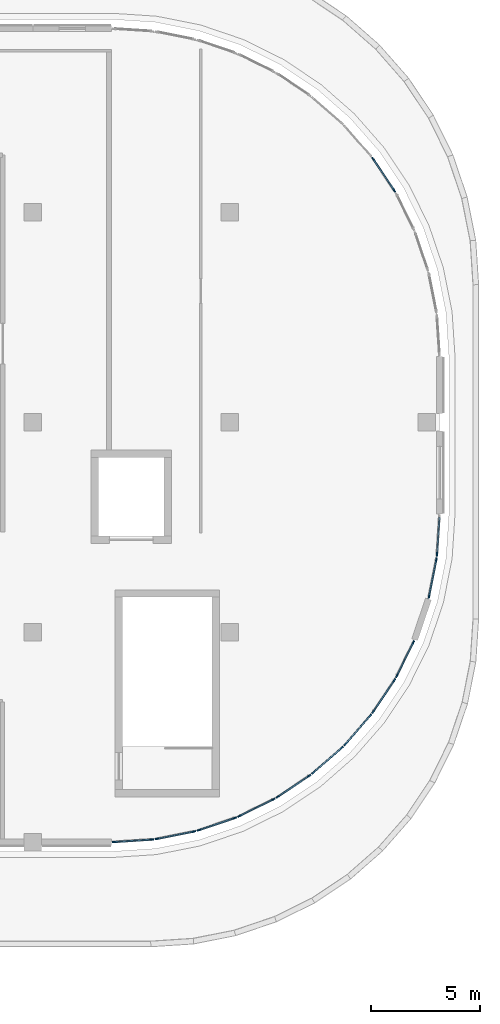
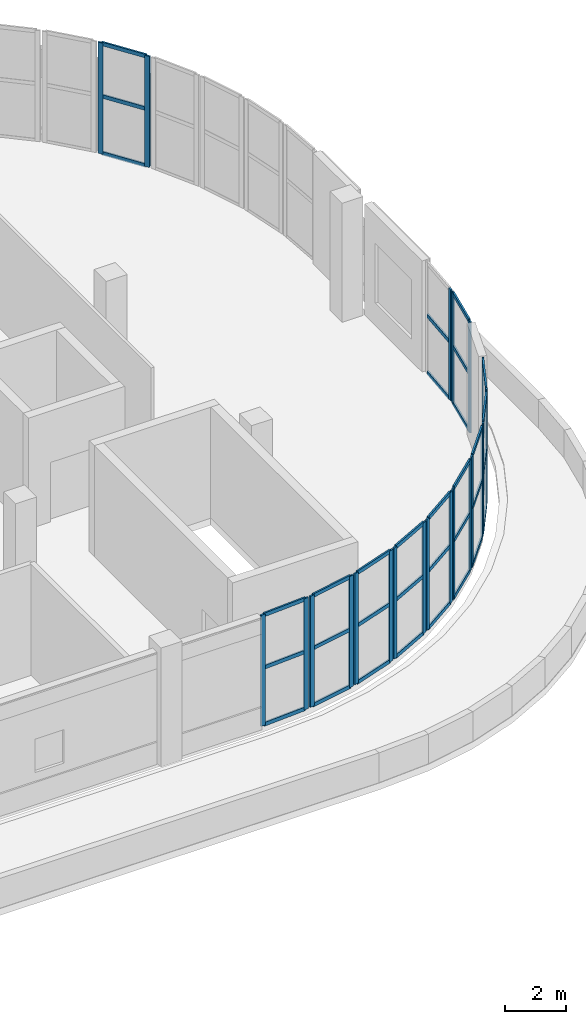
# One storey, part 14 of 33: 58 members, 12 elements without a shape of their own.
"""IFC4 building model written with IfcOpenShell, lengths in metres."""

from ifc_helpers import new_model, si_unit, direction, frame, origin, origin_2d, place, context, subcontext, project, spatial, rectangle, extrude, material, layer, layer_set, material_profile, profile_set, type_object, element, aggregate, save


model = new_model("IFC4")

# Units and contexts
model_context = context("Model", 3, precision=1e-05, world=origin(), true_north=direction((0.0, 1.0)))
body_context = subcontext(model_context, "Body", "Model", "MODEL_VIEW")
ifc_project = project(units=[si_unit("LENGTHUNIT", "METRE"), si_unit("AREAUNIT", "SQUARE_METRE"), si_unit("VOLUMEUNIT", "CUBIC_METRE"), si_unit("PLANEANGLEUNIT", "RADIAN"), si_unit("MASSUNIT", "GRAM", prefix="KILO")], contexts=[model_context])

# Site, building, storey
site_placement = place(None, origin())
site = spatial("IfcSite", under=ifc_project, at=site_placement, CompositionType="ELEMENT")
building_placement = place(site_placement, origin())
building = spatial("IfcBuilding", under=site, at=building_placement, Name="Cendralis Terraced Arcade", CompositionType="ELEMENT")
storey_placement = place(building_placement, frame((0.0, 0.0, 19.800048828125)))
storey = spatial("IfcBuildingStorey", under=building, at=storey_placement, Name="L04", CompositionType="ELEMENT", Elevation=19.800048828125)

# Curtain wall, members
ifc_material = material(Name="Anodised aluminium EN AW-6063 T6", Category="aluminium")
ifc_layer = layer(ifc_material, 0.179931640625, Name="CW-UNIT-A")
ifc_layer_set = layer_set([ifc_layer], Name="Anodised aluminium EN AW-6063 T6")
curtain_wall_type = type_object("IfcCurtainWallType", Name="CW-UNIT-A", PredefinedType="USERDEFINED", material=ifc_layer_set)
curtain_wall_1_placement = place(storey_placement, origin())
curtain_wall_1 = element("IfcCurtainWall", 1, at=curtain_wall_1_placement, inside=storey, type_object=curtain_wall_type, Name="Exterior Unitised Facade CW-L04-0321", ObjectType="UNITISED FACADE", PredefinedType="USERDEFINED")
ifc_material_profile_1 = material_profile(ifc_material, rectangle(XDim=0.06494140625, YDim=0.179931640625, at=origin_2d()), Name="ALU-MUL-65x180")
ifc_profile_set_1 = profile_set([ifc_material_profile_1], Name="Anodised aluminium EN AW-6063 T6")
member_type_1 = type_object("IfcMemberType", Name="CW-UNIT-A-MUL", PredefinedType="MULLION", material=ifc_profile_set_1)
member_1_placement = place(storey_placement, frame((163.768310546875, 100.82958984375, 0.0), z_axis=(0.0, 0.0, 1.0), x_axis=(0.831471454125, 0.555567476528, 0.0)))
member_1 = element("IfcMember", 2, at=member_1_placement, type_object=member_type_1, Name="CW-U1 mullion 1", PredefinedType="MULLION", context=body_context, shape_type="SweptSolid", body=[
    extrude(rectangle(XDim=0.06494140625, YDim=0.179931640625, at=origin_2d()), origin(), (0.0, 0.0, 1.0), 4.47998046875),
])
member_2_placement = place(storey_placement, frame((164.722412109375, 99.40185546875, 0.0), z_axis=(0.0, 0.0, 1.0), x_axis=(0.831471454125, 0.555567476528, 0.0)))
member_2 = element("IfcMember", 3, at=member_2_placement, type_object=member_type_1, Name="CW-U1 mullion 2", PredefinedType="MULLION", context=body_context, shape_type="SweptSolid", body=[
    extrude(rectangle(XDim=0.06494140625, YDim=0.179931640625, at=origin_2d()), origin(), (0.0, 0.0, 1.0), 4.47998046875),
])

# Curtain wall, member
curtain_wall_2_placement = place(storey_placement, origin())
curtain_wall_2 = element("IfcCurtainWall", 4, at=curtain_wall_2_placement, inside=storey, type_object=curtain_wall_type, Name="Exterior Unitised Facade CW-L04-0326", ObjectType="UNITISED FACADE", PredefinedType="USERDEFINED")
member_3_placement = place(storey_placement, frame((166.6796875, 82.764404296875, 0.0), z_axis=(0.0, 0.0, 1.0), x_axis=(0.997860971336, -0.065371873798, 0.0)))
member_3 = element("IfcMember", 5, at=member_3_placement, type_object=member_type_1, Name="CW-U1 mullion 2", PredefinedType="MULLION", context=body_context, shape_type="SweptSolid", body=[
    extrude(rectangle(XDim=0.06494140625, YDim=0.179931640625, at=origin_2d()), origin(), (0.0, 0.0, 1.0), 4.47998046875),
])

# Curtain wall, members
curtain_wall_3_placement = place(storey_placement, origin())
curtain_wall_3 = element("IfcCurtainWall", 6, at=curtain_wall_3_placement, inside=storey, type_object=curtain_wall_type, Name="Exterior Unitised Facade CW-L04-0327", ObjectType="UNITISED FACADE", PredefinedType="USERDEFINED")
member_4_placement = place(storey_placement, frame((166.647705078125, 82.52197265625, 0.0), z_axis=(0.0, 0.0, 1.0), x_axis=(0.980791618721, -0.195058454434, 0.0)))
member_4 = element("IfcMember", 7, at=member_4_placement, type_object=member_type_1, Name="CW-U1 mullion 1", PredefinedType="MULLION", context=body_context, shape_type="SweptSolid", body=[
    extrude(rectangle(XDim=0.06494140625, YDim=0.179931640625, at=origin_2d()), origin(), (0.0, 0.0, 1.0), 4.47998046875),
])
member_5_placement = place(storey_placement, frame((166.312744140625, 80.837890625, 0.0), z_axis=(0.0, 0.0, 1.0), x_axis=(0.980791618721, -0.195058454434, 0.0)))
member_5 = element("IfcMember", 8, at=member_5_placement, type_object=member_type_1, Name="CW-U1 mullion 2", PredefinedType="MULLION", context=body_context, shape_type="SweptSolid", body=[
    extrude(rectangle(XDim=0.06494140625, YDim=0.179931640625, at=origin_2d()), origin(), (0.0, 0.0, 1.0), 4.47998046875),
])

curtain_wall_4_placement = place(storey_placement, origin())
curtain_wall_4 = element("IfcCurtainWall", 9, at=curtain_wall_4_placement, inside=storey, type_object=curtain_wall_type, Name="Exterior Unitised Facade CW-L04-0328", ObjectType="UNITISED FACADE", PredefinedType="USERDEFINED")
member_6_placement = place(storey_placement, frame((165.59326171875, 78.72802734375, 0.0), z_axis=(0.0, 0.0, 1.0), x_axis=(0.896860050603, -0.442314423947, 0.0)))
member_6 = element("IfcMember", 10, at=member_6_placement, type_object=member_type_1, Name="CW-U1 mullion 1", PredefinedType="MULLION", context=body_context, shape_type="SweptSolid", body=[
    extrude(rectangle(XDim=0.06494140625, YDim=0.179931640625, at=origin_2d()), origin(), (0.0, 0.0, 1.0), 4.47998046875),
])
member_7_placement = place(storey_placement, frame((164.844482421875, 77.2099609375, 0.0), z_axis=(0.0, 0.0, 1.0), x_axis=(0.896860050603, -0.442314423947, 0.0)))
member_7 = element("IfcMember", 11, at=member_7_placement, type_object=member_type_1, Name="CW-U1 mullion 2", PredefinedType="MULLION", context=body_context, shape_type="SweptSolid", body=[
    extrude(rectangle(XDim=0.06494140625, YDim=0.179931640625, at=origin_2d()), origin(), (0.0, 0.0, 1.0), 4.47998046875),
])

curtain_wall_5_placement = place(storey_placement, origin())
curtain_wall_5 = element("IfcCurtainWall", 12, at=curtain_wall_5_placement, inside=storey, type_object=curtain_wall_type, Name="Exterior Unitised Facade CW-L04-0329", ObjectType="UNITISED FACADE", PredefinedType="USERDEFINED")
member_8_placement = place(storey_placement, frame((164.722412109375, 76.998291015625, 0.0), z_axis=(0.0, 0.0, 1.0), x_axis=(0.831471454125, -0.555567476528, 0.0)))
member_8 = element("IfcMember", 13, at=member_8_placement, type_object=member_type_1, Name="CW-U1 mullion 1", PredefinedType="MULLION", context=body_context, shape_type="SweptSolid", body=[
    extrude(rectangle(XDim=0.06494140625, YDim=0.179931640625, at=origin_2d()), origin(), (0.0, 0.0, 1.0), 4.47998046875),
])
member_9_placement = place(storey_placement, frame((163.768310546875, 75.5703125, 0.0), z_axis=(0.0, 0.0, 1.0), x_axis=(0.831471454125, -0.555567476528, 0.0)))
member_9 = element("IfcMember", 14, at=member_9_placement, type_object=member_type_1, Name="CW-U1 mullion 2", PredefinedType="MULLION", context=body_context, shape_type="SweptSolid", body=[
    extrude(rectangle(XDim=0.06494140625, YDim=0.179931640625, at=origin_2d()), origin(), (0.0, 0.0, 1.0), 4.47998046875),
])

curtain_wall_6_placement = place(storey_placement, origin())
curtain_wall_6 = element("IfcCurtainWall", 15, at=curtain_wall_6_placement, inside=storey, type_object=curtain_wall_type, Name="Exterior Unitised Facade CW-L04-0330", ObjectType="UNITISED FACADE", PredefinedType="USERDEFINED")
member_10_placement = place(storey_placement, frame((163.61962890625, 75.37646484375, 0.0), z_axis=(0.0, 0.0, 1.0), x_axis=(0.751804497477, -0.659386076266, 0.0)))
member_10 = element("IfcMember", 16, at=member_10_placement, type_object=member_type_1, Name="CW-U1 mullion 1", PredefinedType="MULLION", context=body_context, shape_type="SweptSolid", body=[
    extrude(rectangle(XDim=0.06494140625, YDim=0.179931640625, at=origin_2d()), origin(), (0.0, 0.0, 1.0), 4.47998046875),
])
member_11_placement = place(storey_placement, frame((162.4873046875, 74.08544921875, 0.0), z_axis=(0.0, 0.0, 1.0), x_axis=(0.751804497477, -0.659386076266, 0.0)))
member_11 = element("IfcMember", 17, at=member_11_placement, type_object=member_type_1, Name="CW-U1 mullion 2", PredefinedType="MULLION", context=body_context, shape_type="SweptSolid", body=[
    extrude(rectangle(XDim=0.06494140625, YDim=0.179931640625, at=origin_2d()), origin(), (0.0, 0.0, 1.0), 4.47998046875),
])

curtain_wall_7_placement = place(storey_placement, origin())
curtain_wall_7 = element("IfcCurtainWall", 18, at=curtain_wall_7_placement, inside=storey, type_object=curtain_wall_type, Name="Exterior Unitised Facade CW-L04-0331", ObjectType="UNITISED FACADE", PredefinedType="USERDEFINED")
member_12_placement = place(storey_placement, frame((162.314453125, 73.91259765625, 0.0), z_axis=(0.0, 0.0, 1.0), x_axis=(0.659386076266, -0.751804497477, 0.0)))
member_12 = element("IfcMember", 19, at=member_12_placement, type_object=member_type_1, Name="CW-U1 mullion 1", PredefinedType="MULLION", context=body_context, shape_type="SweptSolid", body=[
    extrude(rectangle(XDim=0.06494140625, YDim=0.179931640625, at=origin_2d()), origin(), (0.0, 0.0, 1.0), 4.47998046875),
])
member_13_placement = place(storey_placement, frame((161.0234375, 72.780517578125, 0.0), z_axis=(0.0, 0.0, 1.0), x_axis=(0.659386076266, -0.751804497477, 0.0)))
member_13 = element("IfcMember", 20, at=member_13_placement, type_object=member_type_1, Name="CW-U1 mullion 2", PredefinedType="MULLION", context=body_context, shape_type="SweptSolid", body=[
    extrude(rectangle(XDim=0.06494140625, YDim=0.179931640625, at=origin_2d()), origin(), (0.0, 0.0, 1.0), 4.47998046875),
])

curtain_wall_8_placement = place(storey_placement, origin())
curtain_wall_8 = element("IfcCurtainWall", 21, at=curtain_wall_8_placement, inside=storey, type_object=curtain_wall_type, Name="Exterior Unitised Facade CW-L04-0332", ObjectType="UNITISED FACADE", PredefinedType="USERDEFINED")
member_14_placement = place(storey_placement, frame((160.82958984375, 72.631591796875, 0.0), z_axis=(0.0, 0.0, 1.0), x_axis=(0.555567476528, -0.831471454125, 0.0)))
member_14 = element("IfcMember", 22, at=member_14_placement, type_object=member_type_1, Name="CW-U1 mullion 1", PredefinedType="MULLION", context=body_context, shape_type="SweptSolid", body=[
    extrude(rectangle(XDim=0.06494140625, YDim=0.179931640625, at=origin_2d()), origin(), (0.0, 0.0, 1.0), 4.47998046875),
])
member_15_placement = place(storey_placement, frame((159.40185546875, 71.677734375, 0.0), z_axis=(0.0, 0.0, 1.0), x_axis=(0.555567476528, -0.831471454125, 0.0)))
member_15 = element("IfcMember", 23, at=member_15_placement, type_object=member_type_1, Name="CW-U1 mullion 2", PredefinedType="MULLION", context=body_context, shape_type="SweptSolid", body=[
    extrude(rectangle(XDim=0.06494140625, YDim=0.179931640625, at=origin_2d()), origin(), (0.0, 0.0, 1.0), 4.47998046875),
])

curtain_wall_9_placement = place(storey_placement, origin())
curtain_wall_9 = element("IfcCurtainWall", 24, at=curtain_wall_9_placement, inside=storey, type_object=curtain_wall_type, Name="Exterior Unitised Facade CW-L04-0333", ObjectType="UNITISED FACADE", PredefinedType="USERDEFINED")
member_16_placement = place(storey_placement, frame((159.190185546875, 71.555419921875, 0.0), z_axis=(0.0, 0.0, 1.0), x_axis=(0.442291247495, -0.896871480419, 0.0)))
member_16 = element("IfcMember", 25, at=member_16_placement, type_object=member_type_1, Name="CW-U1 mullion 1", PredefinedType="MULLION", context=body_context, shape_type="SweptSolid", body=[
    extrude(rectangle(XDim=0.06494140625, YDim=0.179931640625, at=origin_2d()), origin(), (0.0, 0.0, 1.0), 4.47998046875),
])
member_17_placement = place(storey_placement, frame((157.650146484375, 70.7958984375, 0.0), z_axis=(0.0, 0.0, 1.0), x_axis=(0.442291247495, -0.896871480419, 0.0)))
member_17 = element("IfcMember", 26, at=member_17_placement, type_object=member_type_1, Name="CW-U1 mullion 2", PredefinedType="MULLION", context=body_context, shape_type="SweptSolid", body=[
    extrude(rectangle(XDim=0.06494140625, YDim=0.179931640625, at=origin_2d()), origin(), (0.0, 0.0, 1.0), 4.47998046875),
])

curtain_wall_10_placement = place(storey_placement, origin())
curtain_wall_10 = element("IfcCurtainWall", 27, at=curtain_wall_10_placement, inside=storey, type_object=curtain_wall_type, Name="Exterior Unitised Facade CW-L04-0334", ObjectType="UNITISED FACADE", PredefinedType="USERDEFINED")
member_18_placement = place(storey_placement, frame((157.42431640625, 70.702392578125, 0.0), z_axis=(0.0, 0.0, 1.0), x_axis=(0.321458077458, -0.946923811316, 0.0)))
member_18 = element("IfcMember", 28, at=member_18_placement, type_object=member_type_1, Name="CW-U1 mullion 1", PredefinedType="MULLION", context=body_context, shape_type="SweptSolid", body=[
    extrude(rectangle(XDim=0.06494140625, YDim=0.179931640625, at=origin_2d()), origin(), (0.0, 0.0, 1.0), 4.47998046875),
])
member_19_placement = place(storey_placement, frame((155.79833984375, 70.150390625, 0.0), z_axis=(0.0, 0.0, 1.0), x_axis=(0.321458077458, -0.946923811316, 0.0)))
member_19 = element("IfcMember", 29, at=member_19_placement, type_object=member_type_1, Name="CW-U1 mullion 2", PredefinedType="MULLION", context=body_context, shape_type="SweptSolid", body=[
    extrude(rectangle(XDim=0.06494140625, YDim=0.179931640625, at=origin_2d()), origin(), (0.0, 0.0, 1.0), 4.47998046875),
])

curtain_wall_11_placement = place(storey_placement, origin())
curtain_wall_11 = element("IfcCurtainWall", 30, at=curtain_wall_11_placement, inside=storey, type_object=curtain_wall_type, Name="Exterior Unitised Facade CW-L04-0335", ObjectType="UNITISED FACADE", PredefinedType="USERDEFINED")
member_20_placement = place(storey_placement, frame((155.56201171875, 70.087158203125, 0.0), z_axis=(0.0, 0.0, 1.0), x_axis=(0.195058454434, -0.980791618721, 0.0)))
member_20 = element("IfcMember", 31, at=member_20_placement, type_object=member_type_1, Name="CW-U1 mullion 1", PredefinedType="MULLION", context=body_context, shape_type="SweptSolid", body=[
    extrude(rectangle(XDim=0.06494140625, YDim=0.179931640625, at=origin_2d()), origin(), (0.0, 0.0, 1.0), 4.47998046875),
])
member_21_placement = place(storey_placement, frame((153.878173828125, 69.752197265625, 0.0), z_axis=(0.0, 0.0, 1.0), x_axis=(0.195058454434, -0.980791618721, 0.0)))
member_21 = element("IfcMember", 32, at=member_21_placement, type_object=member_type_1, Name="CW-U1 mullion 2", PredefinedType="MULLION", context=body_context, shape_type="SweptSolid", body=[
    extrude(rectangle(XDim=0.06494140625, YDim=0.179931640625, at=origin_2d()), origin(), (0.0, 0.0, 1.0), 4.47998046875),
])

curtain_wall_12_placement = place(storey_placement, origin())
curtain_wall_12 = element("IfcCurtainWall", 33, at=curtain_wall_12_placement, inside=storey, type_object=curtain_wall_type, Name="Exterior Unitised Facade CW-L04-0336", ObjectType="UNITISED FACADE", PredefinedType="USERDEFINED")
member_22_placement = place(storey_placement, frame((153.6357421875, 69.72021484375, 0.0), z_axis=(0.0, 0.0, 1.0), x_axis=(0.065371873798, -0.997860971336, 0.0)))
member_22 = element("IfcMember", 34, at=member_22_placement, type_object=member_type_1, Name="CW-U1 mullion 1", PredefinedType="MULLION", context=body_context, shape_type="SweptSolid", body=[
    extrude(rectangle(XDim=0.06494140625, YDim=0.179931640625, at=origin_2d()), origin(), (0.0, 0.0, 1.0), 4.47998046875),
])
member_23_placement = place(storey_placement, frame((151.922119140625, 69.60791015625, 0.0), z_axis=(0.0, 0.0, 1.0), x_axis=(0.065371873798, -0.997860971336, 0.0)))
member_23 = element("IfcMember", 35, at=member_23_placement, type_object=member_type_1, Name="CW-U1 mullion 2", PredefinedType="MULLION", context=body_context, shape_type="SweptSolid", body=[
    extrude(rectangle(XDim=0.06494140625, YDim=0.179931640625, at=origin_2d()), origin(), (0.0, 0.0, 1.0), 4.47998046875),
])

# Member
ifc_material_profile_2 = material_profile(ifc_material, rectangle(XDim=0.06494140625, YDim=0.14990234375, at=origin_2d()), Name="ALU-TRN-65x150")
ifc_profile_set_2 = profile_set([ifc_material_profile_2], Name="Anodised aluminium EN AW-6063 T6")
member_type_2 = type_object("IfcMemberType", Name="CW-UNIT-A-TRN", PredefinedType="USERDEFINED", material=ifc_profile_set_2)
member_24_placement = place(storey_placement, frame((163.786376953125, 100.802490234375, 0.032470703125), z_axis=(0.555654720391, -0.831413153436, 0.0), x_axis=(0.831413153436, 0.555654720391, 0.0)))
member_24 = element("IfcMember", 36, at=member_24_placement, type_object=member_type_2, Name="CW-U1 transom 1.1", ObjectType="TRANSOM", PredefinedType="USERDEFINED", context=body_context, shape_type="SweptSolid", body=[
    extrude(rectangle(XDim=0.06494140625, YDim=0.14990234375, at=origin_2d()), origin(), (0.0, 0.0, 1.0), 1.652099609375),
])

member_25_placement = place(storey_placement, frame((163.786376953125, 100.802490234375, 2.32958984375), z_axis=(0.555654720391, -0.831413153436, 0.0), x_axis=(0.831413153436, 0.555654720391, 0.0)))
member_25 = element("IfcMember", 37, at=member_25_placement, type_object=member_type_2, Name="CW-U1 transom 1.2", ObjectType="TRANSOM", PredefinedType="USERDEFINED", context=body_context, shape_type="SweptSolid", body=[
    extrude(rectangle(XDim=0.06494140625, YDim=0.14990234375, at=origin_2d()), origin(), (0.0, 0.0, 1.0), 1.652099609375),
])

member_26_placement = place(storey_placement, frame((163.786376953125, 100.802490234375, 4.447509765625), z_axis=(0.555654720391, -0.831413153436, 0.0), x_axis=(0.831413153436, 0.555654720391, 0.0)))
member_26 = element("IfcMember", 38, at=member_26_placement, type_object=member_type_2, Name="CW-U1 transom 1.3", ObjectType="TRANSOM", PredefinedType="USERDEFINED", context=body_context, shape_type="SweptSolid", body=[
    extrude(rectangle(XDim=0.06494140625, YDim=0.14990234375, at=origin_2d()), origin(), (0.0, 0.0, 1.0), 1.652099609375),
])

aggregate(curtain_wall_1, [member_1, member_2, member_24, member_25, member_26])

member_27_placement = place(storey_placement, frame((166.789794921875, 84.4453125, 0.032470703125), z_axis=(-0.065322272667, -0.997864219568, 0.0), x_axis=(0.997864219568, -0.065322272667, 0.0)))
member_27 = element("IfcMember", 39, at=member_27_placement, type_object=member_type_2, Name="CW-U1 transom 1.1", ObjectType="TRANSOM", PredefinedType="USERDEFINED", context=body_context, shape_type="SweptSolid", body=[
    extrude(rectangle(XDim=0.06494140625, YDim=0.14990234375, at=origin_2d()), origin(), (0.0, 0.0, 1.0), 1.65185546875),
])

member_28_placement = place(storey_placement, frame((166.789794921875, 84.4453125, 2.32958984375), z_axis=(-0.065322272667, -0.997864219568, 0.0), x_axis=(0.997864219568, -0.065322272667, 0.0)))
member_28 = element("IfcMember", 40, at=member_28_placement, type_object=member_type_2, Name="CW-U1 transom 1.2", ObjectType="TRANSOM", PredefinedType="USERDEFINED", context=body_context, shape_type="SweptSolid", body=[
    extrude(rectangle(XDim=0.06494140625, YDim=0.14990234375, at=origin_2d()), origin(), (0.0, 0.0, 1.0), 1.65185546875),
])

aggregate(curtain_wall_2, [member_3, member_27, member_28])

member_29_placement = place(storey_placement, frame((166.641357421875, 82.489990234375, 0.032470703125), z_axis=(-0.195092814307, -0.980784784652, 0.0), x_axis=(0.980784784652, -0.195092814307, 0.0)))
member_29 = element("IfcMember", 41, at=member_29_placement, type_object=member_type_2, Name="CW-U1 transom 1.1", ObjectType="TRANSOM", PredefinedType="USERDEFINED", context=body_context, shape_type="SweptSolid", body=[
    extrude(rectangle(XDim=0.06494140625, YDim=0.14990234375, at=origin_2d()), origin(), (0.0, 0.0, 1.0), 1.65185546875),
])

member_30_placement = place(storey_placement, frame((166.641357421875, 82.489990234375, 2.32958984375), z_axis=(-0.195092814307, -0.980784784652, 0.0), x_axis=(0.980784784652, -0.195092814307, 0.0)))
member_30 = element("IfcMember", 42, at=member_30_placement, type_object=member_type_2, Name="CW-U1 transom 1.2", ObjectType="TRANSOM", PredefinedType="USERDEFINED", context=body_context, shape_type="SweptSolid", body=[
    extrude(rectangle(XDim=0.06494140625, YDim=0.14990234375, at=origin_2d()), origin(), (0.0, 0.0, 1.0), 1.65185546875),
])

member_31_placement = place(storey_placement, frame((166.641357421875, 82.489990234375, 4.447509765625), z_axis=(-0.195092814307, -0.980784784652, 0.0), x_axis=(0.980784784652, -0.195092814307, 0.0)))
member_31 = element("IfcMember", 43, at=member_31_placement, type_object=member_type_2, Name="CW-U1 transom 1.3", ObjectType="TRANSOM", PredefinedType="USERDEFINED", context=body_context, shape_type="SweptSolid", body=[
    extrude(rectangle(XDim=0.06494140625, YDim=0.14990234375, at=origin_2d()), origin(), (0.0, 0.0, 1.0), 1.65185546875),
])

aggregate(curtain_wall_3, [member_4, member_5, member_29, member_30, member_31])

member_32_placement = place(storey_placement, frame((165.578857421875, 78.698974609375, 0.032470703125), z_axis=(-0.442287526323, -0.896873315502, 0.0), x_axis=(0.896873315502, -0.442287526323, 0.0)))
member_32 = element("IfcMember", 44, at=member_32_placement, type_object=member_type_2, Name="CW-U1 transom 1.1", ObjectType="TRANSOM", PredefinedType="USERDEFINED", context=body_context, shape_type="SweptSolid", body=[
    extrude(rectangle(XDim=0.06494140625, YDim=0.14990234375, at=origin_2d()), origin(), (0.0, 0.0, 1.0), 1.6279296875),
])

member_33_placement = place(storey_placement, frame((165.578857421875, 78.698974609375, 2.32958984375), z_axis=(-0.442287526323, -0.896873315502, 0.0), x_axis=(0.896873315502, -0.442287526323, 0.0)))
member_33 = element("IfcMember", 45, at=member_33_placement, type_object=member_type_2, Name="CW-U1 transom 1.2", ObjectType="TRANSOM", PredefinedType="USERDEFINED", context=body_context, shape_type="SweptSolid", body=[
    extrude(rectangle(XDim=0.06494140625, YDim=0.14990234375, at=origin_2d()), origin(), (0.0, 0.0, 1.0), 1.6279296875),
])

member_34_placement = place(storey_placement, frame((165.578857421875, 78.698974609375, 4.447509765625), z_axis=(-0.442287526323, -0.896873315502, 0.0), x_axis=(0.896873315502, -0.442287526323, 0.0)))
member_34 = element("IfcMember", 46, at=member_34_placement, type_object=member_type_2, Name="CW-U1 transom 1.3", ObjectType="TRANSOM", PredefinedType="USERDEFINED", context=body_context, shape_type="SweptSolid", body=[
    extrude(rectangle(XDim=0.06494140625, YDim=0.14990234375, at=origin_2d()), origin(), (0.0, 0.0, 1.0), 1.6279296875),
])

aggregate(curtain_wall_4, [member_6, member_7, member_32, member_33, member_34])

member_35_placement = place(storey_placement, frame((164.704345703125, 76.97119140625, 0.032470703125), z_axis=(-0.555586455466, -0.831458772582, 0.0), x_axis=(0.831458772582, -0.555586455466, 0.0)))
member_35 = element("IfcMember", 47, at=member_35_placement, type_object=member_type_2, Name="CW-U1 transom 1.1", ObjectType="TRANSOM", PredefinedType="USERDEFINED", context=body_context, shape_type="SweptSolid", body=[
    extrude(rectangle(XDim=0.06494140625, YDim=0.14990234375, at=origin_2d()), origin(), (0.0, 0.0, 1.0), 1.65234375),
])

member_36_placement = place(storey_placement, frame((164.704345703125, 76.97119140625, 2.32958984375), z_axis=(-0.555586455466, -0.831458772582, 0.0), x_axis=(0.831458772582, -0.555586455466, 0.0)))
member_36 = element("IfcMember", 48, at=member_36_placement, type_object=member_type_2, Name="CW-U1 transom 1.2", ObjectType="TRANSOM", PredefinedType="USERDEFINED", context=body_context, shape_type="SweptSolid", body=[
    extrude(rectangle(XDim=0.06494140625, YDim=0.14990234375, at=origin_2d()), origin(), (0.0, 0.0, 1.0), 1.65234375),
])

member_37_placement = place(storey_placement, frame((164.704345703125, 76.97119140625, 4.447509765625), z_axis=(-0.555586455466, -0.831458772582, 0.0), x_axis=(0.831458772582, -0.555586455466, 0.0)))
member_37 = element("IfcMember", 49, at=member_37_placement, type_object=member_type_2, Name="CW-U1 transom 1.3", ObjectType="TRANSOM", PredefinedType="USERDEFINED", context=body_context, shape_type="SweptSolid", body=[
    extrude(rectangle(XDim=0.06494140625, YDim=0.14990234375, at=origin_2d()), origin(), (0.0, 0.0, 1.0), 1.65234375),
])

aggregate(curtain_wall_5, [member_8, member_9, member_35, member_36, member_37])

member_38_placement = place(storey_placement, frame((163.59814453125, 75.35205078125, 0.032470703125), z_axis=(-0.659341117172, -0.751843927425, 0.0), x_axis=(0.751843927425, -0.659341117172, 0.0)))
member_38 = element("IfcMember", 50, at=member_38_placement, type_object=member_type_2, Name="CW-U1 transom 1.1", ObjectType="TRANSOM", PredefinedType="USERDEFINED", context=body_context, shape_type="SweptSolid", body=[
    extrude(rectangle(XDim=0.06494140625, YDim=0.14990234375, at=origin_2d()), origin(), (0.0, 0.0, 1.0), 1.652099609375),
])

member_39_placement = place(storey_placement, frame((163.59814453125, 75.35205078125, 2.32958984375), z_axis=(-0.659341117172, -0.751843927425, 0.0), x_axis=(0.751843927425, -0.659341117172, 0.0)))
member_39 = element("IfcMember", 51, at=member_39_placement, type_object=member_type_2, Name="CW-U1 transom 1.2", ObjectType="TRANSOM", PredefinedType="USERDEFINED", context=body_context, shape_type="SweptSolid", body=[
    extrude(rectangle(XDim=0.06494140625, YDim=0.14990234375, at=origin_2d()), origin(), (0.0, 0.0, 1.0), 1.652099609375),
])

member_40_placement = place(storey_placement, frame((163.59814453125, 75.35205078125, 4.447509765625), z_axis=(-0.659341117172, -0.751843927425, 0.0), x_axis=(0.751843927425, -0.659341117172, 0.0)))
member_40 = element("IfcMember", 52, at=member_40_placement, type_object=member_type_2, Name="CW-U1 transom 1.3", ObjectType="TRANSOM", PredefinedType="USERDEFINED", context=body_context, shape_type="SweptSolid", body=[
    extrude(rectangle(XDim=0.06494140625, YDim=0.14990234375, at=origin_2d()), origin(), (0.0, 0.0, 1.0), 1.652099609375),
])

aggregate(curtain_wall_6, [member_10, member_11, member_38, member_39, member_40])

member_41_placement = place(storey_placement, frame((162.2900390625, 73.891357421875, 0.032470703125), z_axis=(-0.751770678098, -0.659424633717, 0.0), x_axis=(0.659424633717, -0.751770678098, 0.0)))
member_41 = element("IfcMember", 53, at=member_41_placement, type_object=member_type_2, Name="CW-U1 transom 1.1", ObjectType="TRANSOM", PredefinedType="USERDEFINED", context=body_context, shape_type="SweptSolid", body=[
    extrude(rectangle(XDim=0.06494140625, YDim=0.14990234375, at=origin_2d()), origin(), (0.0, 0.0, 1.0), 1.65234375),
])

member_42_placement = place(storey_placement, frame((162.2900390625, 73.891357421875, 2.32958984375), z_axis=(-0.751770678098, -0.659424633717, 0.0), x_axis=(0.659424633717, -0.751770678098, 0.0)))
member_42 = element("IfcMember", 54, at=member_42_placement, type_object=member_type_2, Name="CW-U1 transom 1.2", ObjectType="TRANSOM", PredefinedType="USERDEFINED", context=body_context, shape_type="SweptSolid", body=[
    extrude(rectangle(XDim=0.06494140625, YDim=0.14990234375, at=origin_2d()), origin(), (0.0, 0.0, 1.0), 1.65234375),
])

member_43_placement = place(storey_placement, frame((162.2900390625, 73.891357421875, 4.447509765625), z_axis=(-0.751770678098, -0.659424633717, 0.0), x_axis=(0.659424633717, -0.751770678098, 0.0)))
member_43 = element("IfcMember", 55, at=member_43_placement, type_object=member_type_2, Name="CW-U1 transom 1.3", ObjectType="TRANSOM", PredefinedType="USERDEFINED", context=body_context, shape_type="SweptSolid", body=[
    extrude(rectangle(XDim=0.06494140625, YDim=0.14990234375, at=origin_2d()), origin(), (0.0, 0.0, 1.0), 1.65234375),
])

aggregate(curtain_wall_7, [member_12, member_13, member_41, member_42, member_43])

member_44_placement = place(storey_placement, frame((160.802490234375, 72.613525390625, 0.032470703125), z_axis=(-0.831481424206, -0.555552554851, 0.0), x_axis=(0.555552554851, -0.831481424206, 0.0)))
member_44 = element("IfcMember", 56, at=member_44_placement, type_object=member_type_2, Name="CW-U1 transom 1.1", ObjectType="TRANSOM", PredefinedType="USERDEFINED", context=body_context, shape_type="SweptSolid", body=[
    extrude(rectangle(XDim=0.06494140625, YDim=0.14990234375, at=origin_2d()), origin(), (0.0, 0.0, 1.0), 1.65185546875),
])

member_45_placement = place(storey_placement, frame((160.802490234375, 72.613525390625, 2.32958984375), z_axis=(-0.831481424206, -0.555552554851, 0.0), x_axis=(0.555552554851, -0.831481424206, 0.0)))
member_45 = element("IfcMember", 57, at=member_45_placement, type_object=member_type_2, Name="CW-U1 transom 1.2", ObjectType="TRANSOM", PredefinedType="USERDEFINED", context=body_context, shape_type="SweptSolid", body=[
    extrude(rectangle(XDim=0.06494140625, YDim=0.14990234375, at=origin_2d()), origin(), (0.0, 0.0, 1.0), 1.65185546875),
])

member_46_placement = place(storey_placement, frame((160.802490234375, 72.613525390625, 4.447509765625), z_axis=(-0.831481424206, -0.555552554851, 0.0), x_axis=(0.555552554851, -0.831481424206, 0.0)))
member_46 = element("IfcMember", 58, at=member_46_placement, type_object=member_type_2, Name="CW-U1 transom 1.3", ObjectType="TRANSOM", PredefinedType="USERDEFINED", context=body_context, shape_type="SweptSolid", body=[
    extrude(rectangle(XDim=0.06494140625, YDim=0.14990234375, at=origin_2d()), origin(), (0.0, 0.0, 1.0), 1.65185546875),
])

aggregate(curtain_wall_8, [member_14, member_15, member_44, member_45, member_46])

member_47_placement = place(storey_placement, frame((159.160888671875, 71.541015625, 0.032470703125), z_axis=(-0.896866855431, -0.442300625853, 0.0), x_axis=(0.442300625853, -0.896866855431, 0.0)))
member_47 = element("IfcMember", 59, at=member_47_placement, type_object=member_type_2, Name="CW-U1 transom 1.1", ObjectType="TRANSOM", PredefinedType="USERDEFINED", context=body_context, shape_type="SweptSolid", body=[
    extrude(rectangle(XDim=0.06494140625, YDim=0.14990234375, at=origin_2d()), origin(), (0.0, 0.0, 1.0), 1.652099609375),
])

member_48_placement = place(storey_placement, frame((159.160888671875, 71.541015625, 2.32958984375), z_axis=(-0.896866855431, -0.442300625853, 0.0), x_axis=(0.442300625853, -0.896866855431, 0.0)))
member_48 = element("IfcMember", 60, at=member_48_placement, type_object=member_type_2, Name="CW-U1 transom 1.2", ObjectType="TRANSOM", PredefinedType="USERDEFINED", context=body_context, shape_type="SweptSolid", body=[
    extrude(rectangle(XDim=0.06494140625, YDim=0.14990234375, at=origin_2d()), origin(), (0.0, 0.0, 1.0), 1.652099609375),
])

member_49_placement = place(storey_placement, frame((159.160888671875, 71.541015625, 4.447509765625), z_axis=(-0.896866855431, -0.442300625853, 0.0), x_axis=(0.442300625853, -0.896866855431, 0.0)))
member_49 = element("IfcMember", 61, at=member_49_placement, type_object=member_type_2, Name="CW-U1 transom 1.3", ObjectType="TRANSOM", PredefinedType="USERDEFINED", context=body_context, shape_type="SweptSolid", body=[
    extrude(rectangle(XDim=0.06494140625, YDim=0.14990234375, at=origin_2d()), origin(), (0.0, 0.0, 1.0), 1.652099609375),
])

aggregate(curtain_wall_9, [member_16, member_17, member_47, member_48, member_49])

member_50_placement = place(storey_placement, frame((157.3935546875, 70.69189453125, 0.032470703125), z_axis=(-0.94694015461, -0.321409930755, 0.0), x_axis=(0.321409930755, -0.94694015461, 0.0)))
member_50 = element("IfcMember", 62, at=member_50_placement, type_object=member_type_2, Name="CW-U1 transom 1.1", ObjectType="TRANSOM", PredefinedType="USERDEFINED", context=body_context, shape_type="SweptSolid", body=[
    extrude(rectangle(XDim=0.06494140625, YDim=0.14990234375, at=origin_2d()), origin(), (0.0, 0.0, 1.0), 1.652099609375),
])

member_51_placement = place(storey_placement, frame((157.3935546875, 70.69189453125, 2.32958984375), z_axis=(-0.94694015461, -0.321409930755, 0.0), x_axis=(0.321409930755, -0.94694015461, 0.0)))
member_51 = element("IfcMember", 63, at=member_51_placement, type_object=member_type_2, Name="CW-U1 transom 1.2", ObjectType="TRANSOM", PredefinedType="USERDEFINED", context=body_context, shape_type="SweptSolid", body=[
    extrude(rectangle(XDim=0.06494140625, YDim=0.14990234375, at=origin_2d()), origin(), (0.0, 0.0, 1.0), 1.652099609375),
])

member_52_placement = place(storey_placement, frame((157.3935546875, 70.69189453125, 4.447509765625), z_axis=(-0.94694015461, -0.321409930755, 0.0), x_axis=(0.321409930755, -0.94694015461, 0.0)))
member_52 = element("IfcMember", 64, at=member_52_placement, type_object=member_type_2, Name="CW-U1 transom 1.3", ObjectType="TRANSOM", PredefinedType="USERDEFINED", context=body_context, shape_type="SweptSolid", body=[
    extrude(rectangle(XDim=0.06494140625, YDim=0.14990234375, at=origin_2d()), origin(), (0.0, 0.0, 1.0), 1.652099609375),
])

aggregate(curtain_wall_10, [member_18, member_19, member_50, member_51, member_52])

member_53_placement = place(storey_placement, frame((155.5302734375, 70.080810546875, 0.032470703125), z_axis=(-0.980790408784, -0.195064538134, 0.0), x_axis=(0.195064538134, -0.980790408784, 0.0)))
member_53 = element("IfcMember", 65, at=member_53_placement, type_object=member_type_2, Name="CW-U1 transom 1.1", ObjectType="TRANSOM", PredefinedType="USERDEFINED", context=body_context, shape_type="SweptSolid", body=[
    extrude(rectangle(XDim=0.06494140625, YDim=0.14990234375, at=origin_2d()), origin(), (0.0, 0.0, 1.0), 1.652099609375),
])

member_54_placement = place(storey_placement, frame((155.5302734375, 70.080810546875, 2.32958984375), z_axis=(-0.980790408784, -0.195064538134, 0.0), x_axis=(0.195064538134, -0.980790408784, 0.0)))
member_54 = element("IfcMember", 66, at=member_54_placement, type_object=member_type_2, Name="CW-U1 transom 1.2", ObjectType="TRANSOM", PredefinedType="USERDEFINED", context=body_context, shape_type="SweptSolid", body=[
    extrude(rectangle(XDim=0.06494140625, YDim=0.14990234375, at=origin_2d()), origin(), (0.0, 0.0, 1.0), 1.652099609375),
])

member_55_placement = place(storey_placement, frame((155.5302734375, 70.080810546875, 4.447509765625), z_axis=(-0.980790408784, -0.195064538134, 0.0), x_axis=(0.195064538134, -0.980790408784, 0.0)))
member_55 = element("IfcMember", 67, at=member_55_placement, type_object=member_type_2, Name="CW-U1 transom 1.3", ObjectType="TRANSOM", PredefinedType="USERDEFINED", context=body_context, shape_type="SweptSolid", body=[
    extrude(rectangle(XDim=0.06494140625, YDim=0.14990234375, at=origin_2d()), origin(), (0.0, 0.0, 1.0), 1.652099609375),
])

aggregate(curtain_wall_11, [member_20, member_21, member_53, member_54, member_55])

member_56_placement = place(storey_placement, frame((153.603271484375, 69.71826171875, 0.032470703125), z_axis=(-0.997855208893, -0.065459774551, 0.0), x_axis=(0.065459774551, -0.997855208893, 0.0)))
member_56 = element("IfcMember", 68, at=member_56_placement, type_object=member_type_2, Name="CW-U1 transom 1.1", ObjectType="TRANSOM", PredefinedType="USERDEFINED", context=body_context, shape_type="SweptSolid", body=[
    extrude(rectangle(XDim=0.06494140625, YDim=0.14990234375, at=origin_2d()), origin(), (0.0, 0.0, 1.0), 1.65234375),
])

member_57_placement = place(storey_placement, frame((153.603271484375, 69.71826171875, 2.32958984375), z_axis=(-0.997855208893, -0.065459774551, 0.0), x_axis=(0.065459774551, -0.997855208893, 0.0)))
member_57 = element("IfcMember", 69, at=member_57_placement, type_object=member_type_2, Name="CW-U1 transom 1.2", ObjectType="TRANSOM", PredefinedType="USERDEFINED", context=body_context, shape_type="SweptSolid", body=[
    extrude(rectangle(XDim=0.06494140625, YDim=0.14990234375, at=origin_2d()), origin(), (0.0, 0.0, 1.0), 1.65234375),
])

member_58_placement = place(storey_placement, frame((153.603271484375, 69.71826171875, 4.447509765625), z_axis=(-0.997855208893, -0.065459774551, 0.0), x_axis=(0.065459774551, -0.997855208893, 0.0)))
member_58 = element("IfcMember", 70, at=member_58_placement, type_object=member_type_2, Name="CW-U1 transom 1.3", ObjectType="TRANSOM", PredefinedType="USERDEFINED", context=body_context, shape_type="SweptSolid", body=[
    extrude(rectangle(XDim=0.06494140625, YDim=0.14990234375, at=origin_2d()), origin(), (0.0, 0.0, 1.0), 1.65234375),
])

aggregate(curtain_wall_12, [member_22, member_23, member_56, member_57, member_58])

save(model, "model.ifc")
